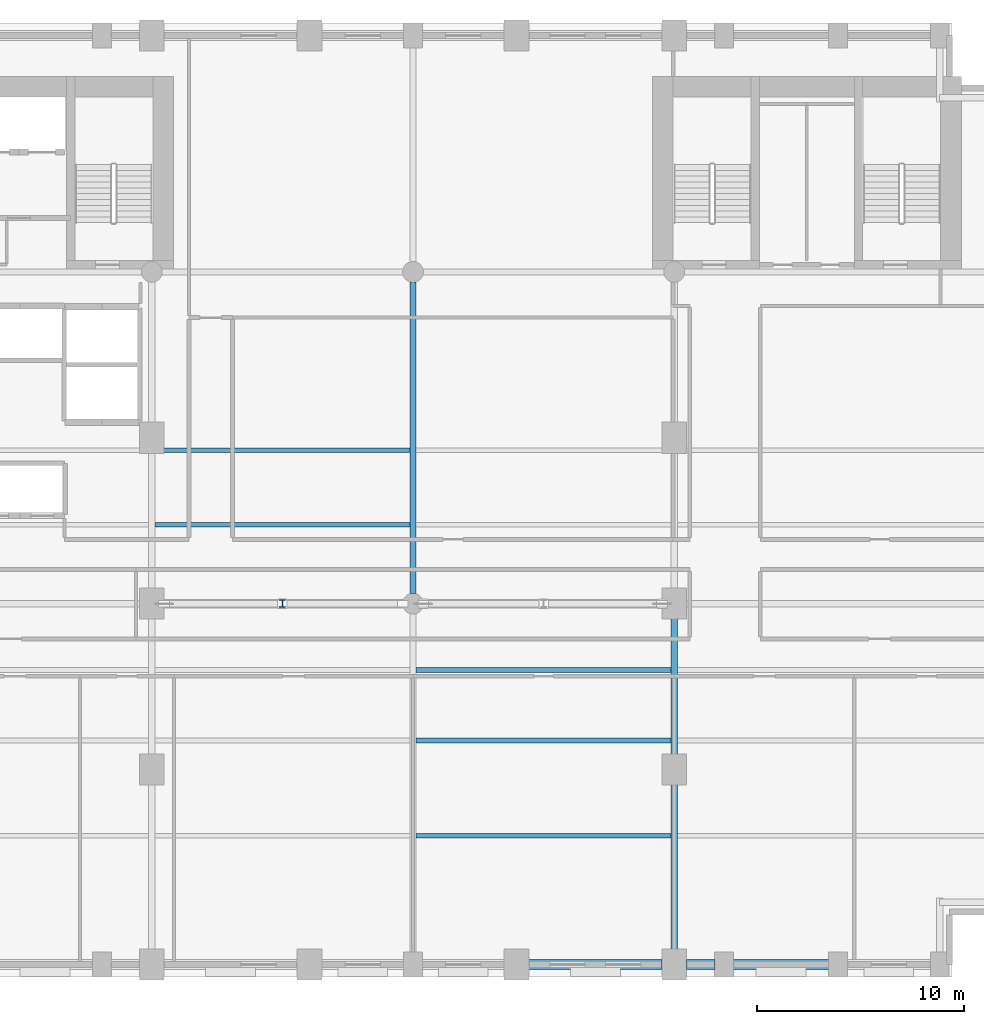
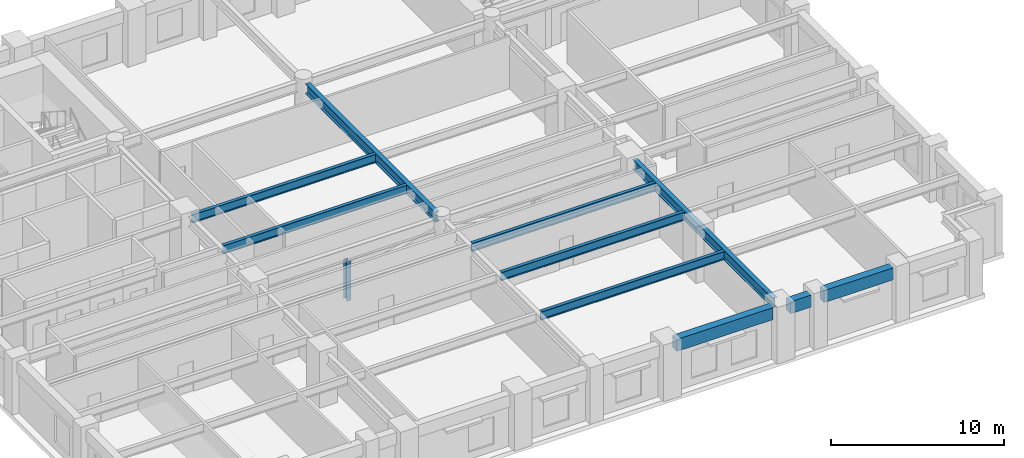
# One storey, part 2 of 11: 10 beams, 1 member.
"""IFC4 building model written with IfcOpenShell, lengths in metres."""

from ifc_helpers import new_model, si_unit, direction, frame, origin, origin_2d, place, context, subcontext, project, spatial, rectangle, i_section, extrude, material, material_profile, profile_set, type_object, element, save


model = new_model("IFC4")

# Units and contexts
model_context = context("Model", 3, precision=1e-05, world=origin(), true_north=direction((0.0, 1.0)))
body_context = subcontext(model_context, "Body", "Model", "MODEL_VIEW")
ifc_project = project(units=[si_unit("LENGTHUNIT", "METRE"), si_unit("AREAUNIT", "SQUARE_METRE"), si_unit("VOLUMEUNIT", "CUBIC_METRE"), si_unit("PLANEANGLEUNIT", "RADIAN"), si_unit("MASSUNIT", "GRAM", prefix="KILO")], contexts=[model_context])

# Site, building, storey
site_placement = place(None, origin())
site = spatial("IfcSite", under=ifc_project, at=site_placement, CompositionType="ELEMENT")
building_placement = place(site_placement, origin())
building = spatial("IfcBuilding", under=site, at=building_placement, Name="Sulina Concourse Tower", CompositionType="ELEMENT")
storey_placement = place(building_placement, frame((0.0, 0.0, 46.60009765625)))
storey = spatial("IfcBuildingStorey", under=building, at=storey_placement, Name="L11", CompositionType="ELEMENT", Elevation=46.60009765625)

# Beams
ifc_material_1 = material(Name="Steel S355", Category="steel")
ifc_material_profile_1 = material_profile(ifc_material_1, i_section(OverallWidth=0.219970703125, OverallDepth=0.60009765625, WebThickness=0.011962890625, FlangeThickness=0.01904296875, at=origin_2d()), Name="IPE 600")
ifc_profile_set_1 = profile_set([ifc_material_profile_1], Name="Steel S355")
beam_type_1 = type_object("IfcBeamType", Name="Composite Floor Joist IPE600", PredefinedType="JOIST", material=ifc_profile_set_1)
for number, where, z_axis, x_axis, name in (
    (1, (29.14990234375, 6.800048828125, 3.39990234375), (1.0, 0.0, 0.0), (0.0, 1.0, 0.0), "FJ-J06-3-L11"),
    (2, (29.14990234375, 11.39990234375, 3.39990234375), (1.0, 0.0, 0.0), (0.0, 1.0, 0.0), "FJ-J11-3-L11"),
    (3, (29.14990234375, 14.800048828125, 3.39990234375), (1.0, 0.0, 0.0), (0.0, 1.0, 0.0), "FJ-J15-3-L11"),
    (4, (16.550048828125, 21.800048828125, 3.39990234375), (1.0, 0.0, 0.0), (0.0, 1.0, 0.0), "FJ-J22-2-L11"),
    (5, (16.550048828125, 25.39990234375, 3.39990234375), (1.0, 0.0, 0.0), (0.0, 1.0, 0.0), "FJ-J25-2-L11"),
):
    element("IfcBeam", number, at=place(storey_placement, frame(where, z_axis=z_axis, x_axis=x_axis)), inside=storey, type_object=beam_type_1, Name=name, PredefinedType="JOIST", context=body_context, shape_type="SweptSolid", body=[
        extrude(i_section(OverallWidth=0.219970703125, OverallDepth=0.60009765625, WebThickness=0.011962890625, FlangeThickness=0.01904296875, at=origin_2d()), origin(), (0.0, 0.0, 1.0), 12.300048828125),
    ])
ifc_material_2 = material(Name="Steel S355", Category="steel")
ifc_material_profile_2 = material_profile(ifc_material_2, i_section(OverallWidth=0.300048828125, OverallDepth=0.699951171875, WebThickness=0.01708984375, FlangeThickness=0.031982421875, at=origin_2d()), Name="HE 700 B")
ifc_profile_set_2 = profile_set([ifc_material_profile_2], Name="Steel S355")
beam_type_2 = type_object("IfcBeamType", Name="Floor Primary Girder Zone 1 HE700B", PredefinedType="BEAM", material=ifc_profile_set_2)
beam_1_placement = place(storey_placement, frame((29.0, 18.47998046875, 3.349853515625), z_axis=(0.0, 1.0, 0.0), x_axis=(-1.0, 0.0, 0.0)))
element("IfcBeam", 6, at=beam_1_placement, inside=storey, type_object=beam_type_2, Name="FG-NSB-29-L11", PredefinedType="BEAM", context=body_context, shape_type="SweptSolid", body=[
    extrude(i_section(OverallWidth=0.300048828125, OverallDepth=0.699951171875, WebThickness=0.01708984375, FlangeThickness=0.031982421875, at=origin_2d()), origin(), (0.0, 0.0, 1.0), 15.0400390625),
])
beam_2_placement = place(storey_placement, frame((41.60009765625, 1.179931640625, 3.349853515625), z_axis=(0.0, 1.0, 0.0), x_axis=(-1.0, 0.0, 0.0)))
element("IfcBeam", 7, at=beam_2_placement, inside=storey, type_object=beam_type_2, Name="FG-NSA-41-L11", PredefinedType="BEAM", context=body_context, shape_type="SweptSolid", body=[
    extrude(i_section(OverallWidth=0.300048828125, OverallDepth=0.699951171875, WebThickness=0.01708984375, FlangeThickness=0.031982421875, at=origin_2d()), origin(), (0.0, 0.0, 1.0), 16.239990234375),
])
ifc_material_3 = material(Name="Precast concrete C50/60", Category="concrete")
ifc_material_profile_3 = material_profile(ifc_material_3, rectangle(XDim=0.5, YDim=0.85009765625, at=origin_2d()), Name="RC 500x850")
ifc_profile_set_3 = profile_set([ifc_material_profile_3], Name="Precast concrete C50/60")
beam_type_3 = type_object("IfcBeamType", Name="Lower Precast Spandrel Edge Beam 500x850", PredefinedType="BEAM", material=ifc_profile_set_3)
beam_3_placement = place(storey_placement, frame((34.580078125, 0.60009765625, 3.27490234375), z_axis=(1.0, 0.0, 0.0), x_axis=(0.0, 1.0, 0.0)))
element("IfcBeam", 8, at=beam_3_placement, inside=storey, type_object=beam_type_3, Name="SP-S7-L11", PredefinedType="BEAM", context=body_context, shape_type="SweptSolid", body=[
    extrude(rectangle(XDim=0.5, YDim=0.85009765625, at=origin_2d()), origin(), (0.0, 0.0, 1.0), 6.43994140625),
])
beam_4_placement = place(storey_placement, frame((42.179931640625, 0.60009765625, 3.27490234375), z_axis=(1.0, 0.0, 0.0), x_axis=(0.0, 1.0, 0.0)))
element("IfcBeam", 9, at=beam_4_placement, inside=storey, type_object=beam_type_3, Name="SP-S8-L11", PredefinedType="BEAM", context=body_context, shape_type="SweptSolid", body=[
    extrude(rectangle(XDim=0.5, YDim=0.85009765625, at=origin_2d()), origin(), (0.0, 0.0, 1.0), 1.39013671875),
])
beam_5_placement = place(storey_placement, frame((44.429931640625, 0.60009765625, 3.27490234375), z_axis=(1.0, 0.0, 0.0), x_axis=(0.0, 1.0, 0.0)))
element("IfcBeam", 10, at=beam_5_placement, inside=storey, type_object=beam_type_3, Name="SP-S9-L11", PredefinedType="BEAM", context=body_context, shape_type="SweptSolid", body=[
    extrude(rectangle(XDim=0.5, YDim=0.85009765625, at=origin_2d()), origin(), (0.0, 0.0, 1.0), 4.64013671875),
])

# Member
ifc_material_4 = material(Name="Steel S355", Category="steel")
ifc_material_profile_4 = material_profile(ifc_material_4, i_section(OverallWidth=0.300048828125, OverallDepth=0.360107421875, WebThickness=0.012451171875, FlangeThickness=0.0224609375, at=origin_2d()), Name="HE 360 B")
ifc_profile_set_4 = profile_set([ifc_material_profile_4], Name="Steel S355")
member_type = type_object("IfcMemberType", Name="Truss Vertical Post Strut HE360B", PredefinedType="STRUT", material=ifc_profile_set_4)
member_placement = place(storey_placement, frame((22.699951171875, 18.0, 0.0048828125), z_axis=(0.0, 0.0, 1.0), x_axis=(1.0, 0.0, 0.0)))
element("IfcMember", 11, at=member_placement, inside=storey, type_object=member_type, Name="LBT-VP-1-L11", PredefinedType="STRUT", context=body_context, shape_type="SweptSolid", body=[
    extrude(i_section(OverallWidth=0.300048828125, OverallDepth=0.360107421875, WebThickness=0.012451171875, FlangeThickness=0.0224609375, at=origin_2d()), origin(), (0.0, 0.0, 1.0), 2.794921875),
])

save(model, "model.ifc")
